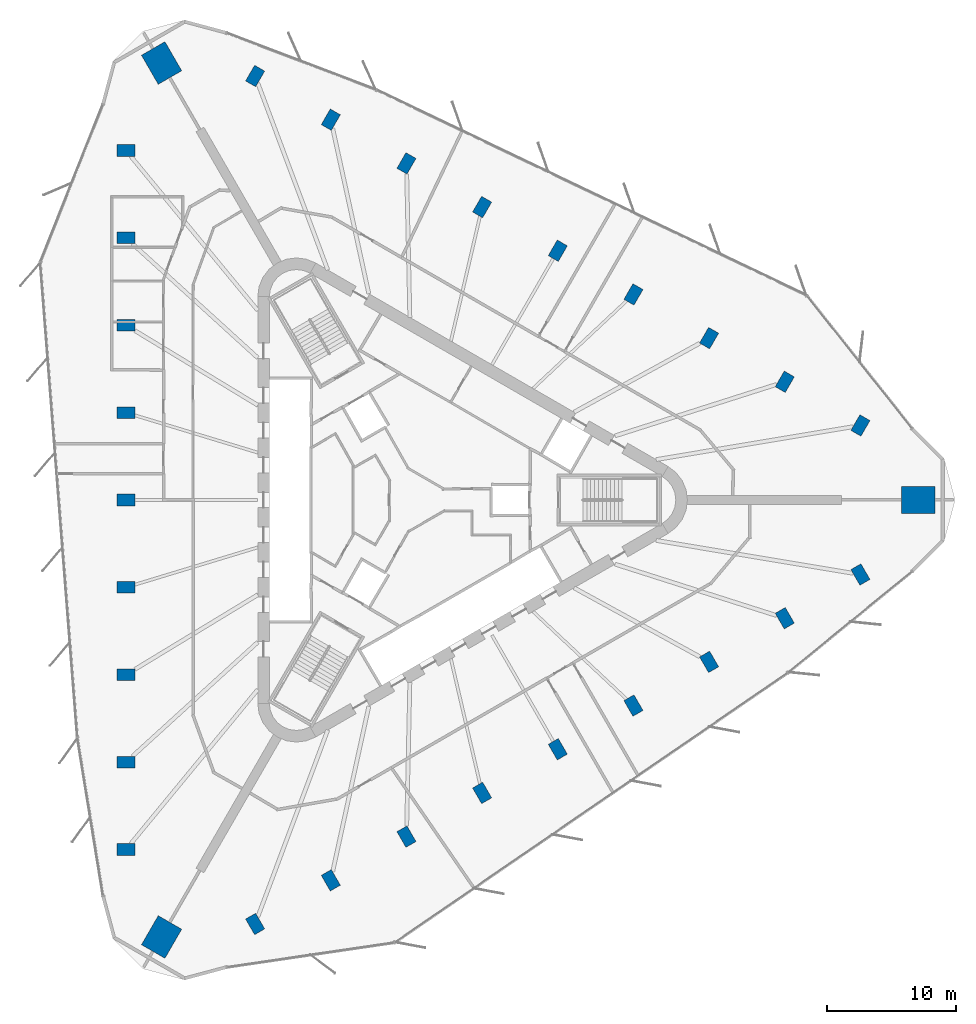
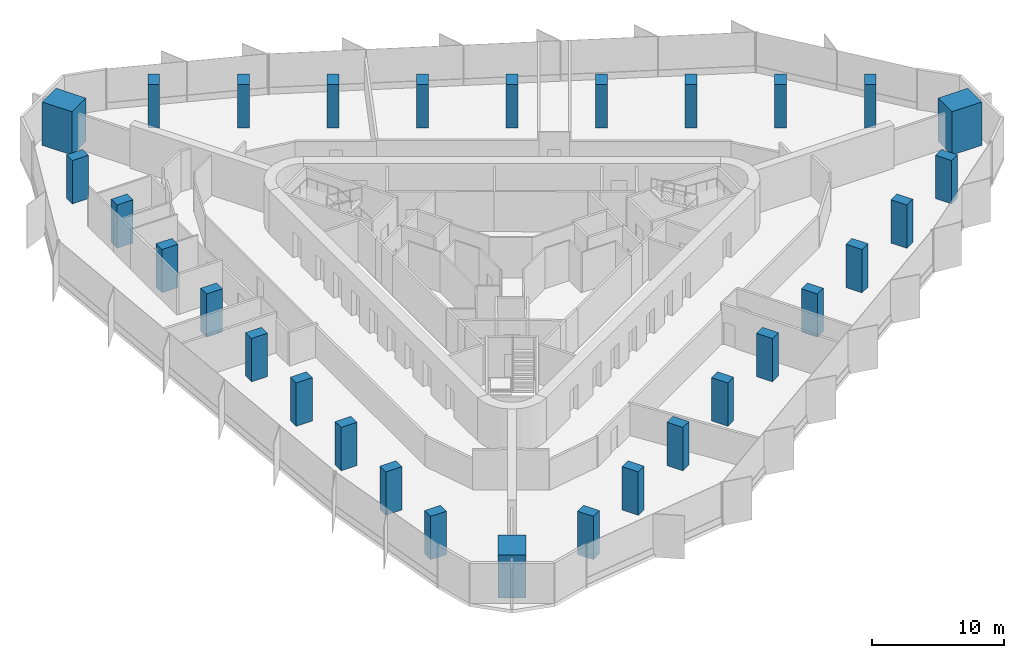
# One storey, part 1 of 13: 30 columns.
"""IFC4 building model written with IfcOpenShell, lengths in metres."""

from ifc_helpers import new_model, si_unit, direction, frame, origin, origin_2d, place, context, subcontext, project, spatial, rectangle, extrude, material, material_profile, profile_set, type_object, element, save


model = new_model("IFC4")

# Units and contexts
model_context = context("Model", 3, precision=1e-05, world=origin(), true_north=direction((0.0, 1.0)))
body_context = subcontext(model_context, "Body", "Model", "MODEL_VIEW")
ifc_project = project(units=[si_unit("LENGTHUNIT", "METRE"), si_unit("AREAUNIT", "SQUARE_METRE"), si_unit("VOLUMEUNIT", "CUBIC_METRE"), si_unit("PLANEANGLEUNIT", "RADIAN"), si_unit("MASSUNIT", "GRAM", prefix="KILO")], contexts=[model_context])

# Site, building, storey
site_placement = place(None, origin())
site = spatial("IfcSite", under=ifc_project, at=site_placement, CompositionType="ELEMENT")
building_placement = place(site_placement, origin())
building = spatial("IfcBuilding", under=site, at=building_placement, Name="Tanit Gate Tower", CompositionType="ELEMENT")
storey_placement = place(building_placement, frame((0.0, 0.0, 201.199951171875)))
storey = spatial("IfcBuildingStorey", under=building, at=storey_placement, Name="L44", CompositionType="ELEMENT", Elevation=201.199951171875)

# Columns
ifc_material_1 = material(Name="Concrete C60/75", Category="concrete")
ifc_material_profile_1 = material_profile(ifc_material_1, rectangle(XDim=2.60009765625, YDim=2.10009765625, at=origin_2d()), Name="RC 2600x2100")
ifc_profile_set_1 = profile_set([ifc_material_profile_1], Name="Concrete C60/75")
column_type_1 = type_object("IfcColumnType", Name="MEGA COLUMN 2600x2100 C60/75", PredefinedType="COLUMN", material=ifc_profile_set_1)
for number, where, z_axis, x_axis, name in (
    (1, (39.106689453125, 0.0, 0.0), (0.0, 0.0, 1.0), (1.0, 0.0, 0.0), "MEGA COLUMN"),
    (2, (-19.553466796875, 33.867431640625, 0.0), (0.0, 0.0, 1.0), (-0.5, 0.866025403784, 0.0), "MEGA COLUMN"),
    (3, (-19.553466796875, -33.867431640625, 0.0), (0.0, 0.0, 1.0), (-0.5, -0.866025403784, 0.0), "MEGA COLUMN"),
):
    element("IfcColumn", number, at=place(storey_placement, frame(where, z_axis=z_axis, x_axis=x_axis)), inside=storey, type_object=column_type_1, Name=name, PredefinedType="COLUMN", context=body_context, shape_type="SweptSolid", body=[
        extrude(rectangle(XDim=2.60009765625, YDim=2.10009765625, at=origin_2d()), origin(), (0.0, 0.0, 1.0), 4.0),
    ])
ifc_material_2 = material(Name="Concrete C50/60", Category="concrete")
ifc_material_profile_2 = material_profile(ifc_material_2, rectangle(XDim=1.39990234375, YDim=0.89990234375, at=origin_2d()), Name="RC 1400x900")
ifc_profile_set_2 = profile_set([ifc_material_profile_2], Name="Concrete C50/60")
column_type_2 = type_object("IfcColumnType", Name="PERIMETER COLUMN 1400x900 C50/60", PredefinedType="COLUMN", material=ifc_profile_set_2)
for number, where, z_axis, x_axis, name in (
    (4, (-22.305908203125, 27.083984375, 0.0), (0.0, 0.0, 1.0), (-1.0, 0.0, 0.0), "PERIMETER COLUMN"),
    (5, (-22.305908203125, 20.31298828125, 0.0), (0.0, 0.0, 1.0), (-1.0, 0.0, 0.0), "PERIMETER COLUMN"),
    (6, (-22.305908203125, 13.5419921875, 0.0), (0.0, 0.0, 1.0), (-1.0, 0.0, 0.0), "PERIMETER COLUMN"),
    (7, (-22.305908203125, 6.77099609375, 0.0), (0.0, 0.0, 1.0), (-1.0, 0.0, 0.0), "PERIMETER COLUMN"),
    (8, (-22.305908203125, 0.0, 0.0), (0.0, 0.0, 1.0), (-1.0, 0.0, 0.0), "PERIMETER COLUMN"),
    (9, (-22.305908203125, -6.77099609375, 0.0), (0.0, 0.0, 1.0), (-1.0, 0.0, 0.0), "PERIMETER COLUMN"),
    (10, (-22.305908203125, -13.5419921875, 0.0), (0.0, 0.0, 1.0), (-1.0, 0.0, 0.0), "PERIMETER COLUMN"),
    (11, (-22.305908203125, -20.31298828125, 0.0), (0.0, 0.0, 1.0), (-1.0, 0.0, 0.0), "PERIMETER COLUMN"),
    (12, (-22.305908203125, -27.083984375, 0.0), (0.0, 0.0, 1.0), (-1.0, 0.0, 0.0), "PERIMETER COLUMN"),
    (13, (34.6083984375, 5.775390625, 0.0), (0.0, 0.0, 1.0), (0.5, 0.866025403784, 0.0), "PERIMETER COLUMN"),
    (14, (28.744384765625, 9.160888671875, 0.0), (0.0, 0.0, 1.0), (0.5, 0.866025403784, 0.0), "PERIMETER COLUMN"),
    (15, (22.880615234375, 12.54638671875, 0.0), (0.0, 0.0, 1.0), (0.5, 0.866025403784, 0.0), "PERIMETER COLUMN"),
    (16, (17.016845703125, 15.931884765625, 0.0), (0.0, 0.0, 1.0), (0.5, 0.866025403784, 0.0), "PERIMETER COLUMN"),
    (17, (11.15283203125, 19.3173828125, 0.0), (0.0, 0.0, 1.0), (0.5, 0.866025403784, 0.0), "PERIMETER COLUMN"),
    (18, (5.2890625, 22.702880859375, 0.0), (0.0, 0.0, 1.0), (0.5, 0.866025403784, 0.0), "PERIMETER COLUMN"),
    (19, (-0.57470703125, 26.08837890625, 0.0), (0.0, 0.0, 1.0), (0.5, 0.866025403784, 0.0), "PERIMETER COLUMN"),
    (20, (-6.438720703125, 29.473876953125, 0.0), (0.0, 0.0, 1.0), (0.5, 0.866025403784, 0.0), "PERIMETER COLUMN"),
    (21, (-12.302490234375, 32.859375, 0.0), (0.0, 0.0, 1.0), (0.5, 0.866025403784, 0.0), "PERIMETER COLUMN"),
    (22, (-12.302490234375, -32.859375, 0.0), (0.0, 0.0, 1.0), (0.5, -0.866025403784, 0.0), "PERIMETER COLUMN"),
    (23, (-6.438720703125, -29.473876953125, 0.0), (0.0, 0.0, 1.0), (0.5, -0.866025403784, 0.0), "PERIMETER COLUMN"),
    (24, (-0.57470703125, -26.08837890625, 0.0), (0.0, 0.0, 1.0), (0.5, -0.866025403784, 0.0), "PERIMETER COLUMN"),
    (25, (5.2890625, -22.702880859375, 0.0), (0.0, 0.0, 1.0), (0.5, -0.866025403784, 0.0), "PERIMETER COLUMN"),
    (26, (11.15283203125, -19.3173828125, 0.0), (0.0, 0.0, 1.0), (0.5, -0.866025403784, 0.0), "PERIMETER COLUMN"),
    (27, (17.016845703125, -15.931884765625, 0.0), (0.0, 0.0, 1.0), (0.5, -0.866025403784, 0.0), "PERIMETER COLUMN"),
    (28, (22.880615234375, -12.54638671875, 0.0), (0.0, 0.0, 1.0), (0.5, -0.866025403784, 0.0), "PERIMETER COLUMN"),
    (29, (28.744384765625, -9.160888671875, 0.0), (0.0, 0.0, 1.0), (0.5, -0.866025403784, 0.0), "PERIMETER COLUMN"),
    (30, (34.6083984375, -5.775390625, 0.0), (0.0, 0.0, 1.0), (0.5, -0.866025403784, 0.0), "PERIMETER COLUMN"),
):
    element("IfcColumn", number, at=place(storey_placement, frame(where, z_axis=z_axis, x_axis=x_axis)), inside=storey, type_object=column_type_2, Name=name, PredefinedType="COLUMN", context=body_context, shape_type="SweptSolid", body=[
        extrude(rectangle(XDim=1.39990234375, YDim=0.89990234375, at=origin_2d()), origin(), (0.0, 0.0, 1.0), 4.0),
    ])

save(model, "model.ifc")
